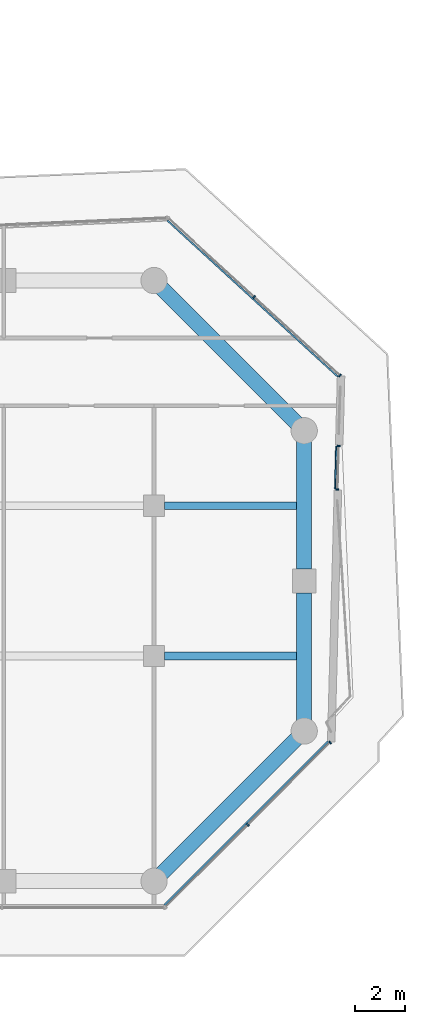
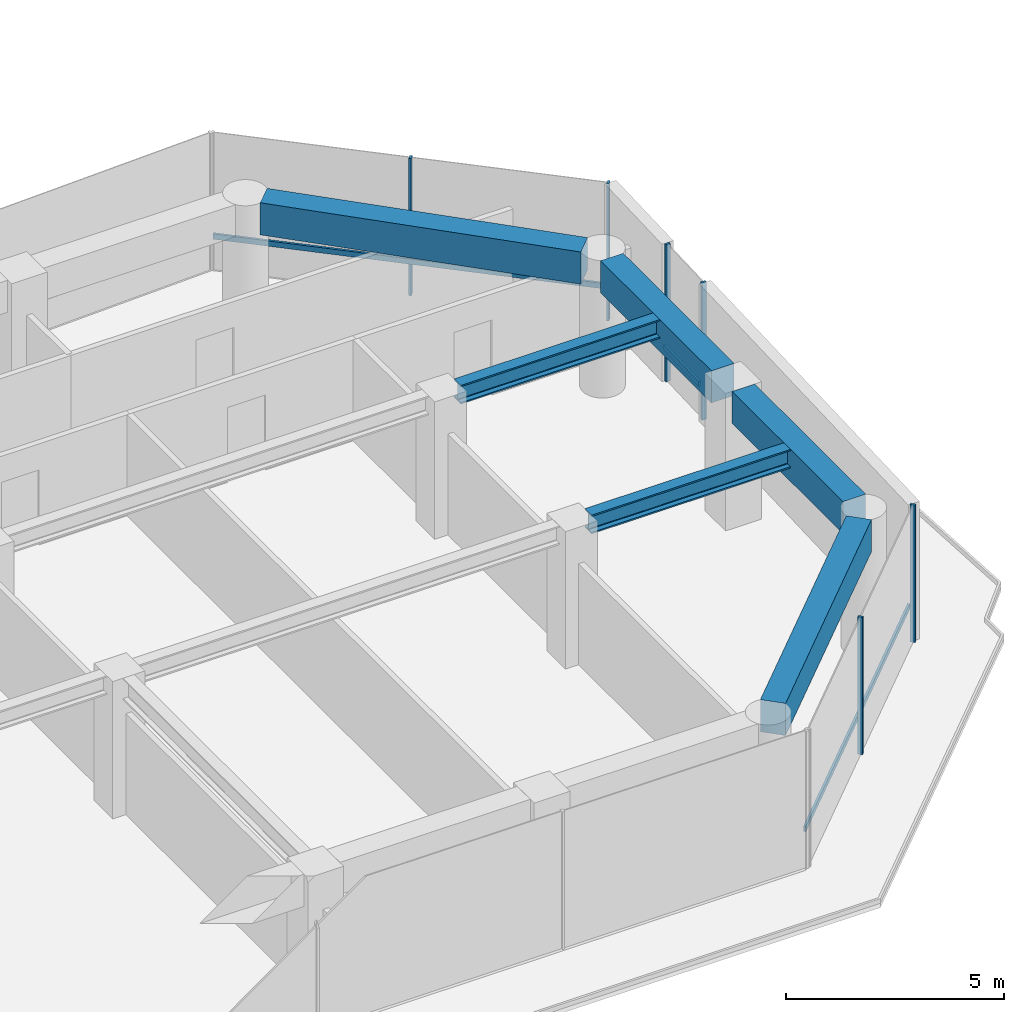
# One storey, part 20 of 29: 9 members, 6 beams, 3 elements without a shape of their own.
"""IFC4 building model written with IfcOpenShell, lengths in metres."""

from ifc_helpers import new_model, si_unit, direction, frame, origin, origin_2d, place, context, subcontext, project, spatial, rectangle, i_section, extrude, material, layer, layer_set, material_profile, profile_set, type_object, element, aggregate, save


model = new_model("IFC4")

# Units and contexts
model_context = context("Model", 3, precision=1e-05, world=origin(), true_north=direction((0.0, 1.0)))
body_context = subcontext(model_context, "Body", "Model", "MODEL_VIEW")
ifc_project = project(units=[si_unit("LENGTHUNIT", "METRE"), si_unit("AREAUNIT", "SQUARE_METRE"), si_unit("VOLUMEUNIT", "CUBIC_METRE"), si_unit("PLANEANGLEUNIT", "RADIAN"), si_unit("MASSUNIT", "GRAM", prefix="KILO")], contexts=[model_context])

# Site, building, storey
site_placement = place(None, origin())
site = spatial("IfcSite", under=ifc_project, at=site_placement, CompositionType="ELEMENT")
building_placement = place(site_placement, origin())
building = spatial("IfcBuilding", under=site, at=building_placement, Name="Welwitschia Terrace Campus", CompositionType="ELEMENT")
storey_placement = place(building_placement, frame((0.0, 0.0, 62.60009765625)))
storey = spatial("IfcBuildingStorey", under=building, at=storey_placement, Name="L14", CompositionType="ELEMENT", Elevation=62.60009765625)

# Beams
ifc_material_1 = material(Name="Steel S355", Category="steel")
ifc_material_profile_1 = material_profile(ifc_material_1, i_section(OverallWidth=0.305908203125, OverallDepth=0.52392578125, WebThickness=0.02099609375, FlangeThickness=0.0400390625, FilletRadius=0.027099609375, at=origin_2d()))
ifc_profile_set_1 = profile_set([ifc_material_profile_1], Name="Steel S355")
beam_type_1 = type_object("IfcBeamType", Name="Interior girder HE 500 M", PredefinedType="BEAM", material=ifc_profile_set_1)
for number, where, z_axis, x_axis, name in (
    (1, (60.425537109375, 5.0, 3.587890625), (1.0, 0.0, 0.0), (0.0, 1.0, 0.0), "Girder GB2"),
    (2, (60.425537109375, 11.0, 3.587890625), (1.0, 0.0, 0.0), (0.0, 1.0, 0.0), "Girder GB2"),
):
    element("IfcBeam", number, at=place(storey_placement, frame(where, z_axis=z_axis, x_axis=x_axis)), inside=storey, type_object=beam_type_1, Name=name, PredefinedType="BEAM", context=body_context, shape_type="SweptSolid", body=[
        extrude(i_section(OverallWidth=0.305908203125, OverallDepth=0.52392578125, WebThickness=0.02099609375, FlangeThickness=0.0400390625, FilletRadius=0.027099609375, at=origin_2d()), origin(), (0.0, 0.0, 1.0), 5.58447265625),
    ])

# Curtain wall, members
ifc_material_2 = material(Name="Bronze anodised aluminium", Category="aluminium")
ifc_layer = layer(ifc_material_2, 0.1201171875)
ifc_layer_set = layer_set([ifc_layer], Name="Bronze anodised aluminium")
curtain_wall_type = type_object("IfcCurtainWallType", Name="Curtain wall CW2 tower 6000", PredefinedType="NOTDEFINED", material=ifc_layer_set)
curtain_wall_1_placement = place(storey_placement, origin())
curtain_wall_1 = element("IfcCurtainWall", 3, at=curtain_wall_1_placement, inside=storey, type_object=curtain_wall_type, Name="CW L14.4.0", PredefinedType="NOTDEFINED")
ifc_material_3 = material(Name="Bronze anodised aluminium", Category="aluminium")
ifc_material_profile_2 = material_profile(ifc_material_3, rectangle(XDim=0.1201171875, YDim=0.06005859375, at=origin_2d()))
ifc_profile_set_2 = profile_set([ifc_material_profile_2], Name="Bronze anodised aluminium")
member_type_1 = type_object("IfcMemberType", Name="Mullion 60x120", PredefinedType="MULLION", material=ifc_profile_set_2)
member_1_placement = place(storey_placement, frame((63.748046875, -1.748046875, 0.0), z_axis=(0.0, 0.0, 1.0), x_axis=(-0.707106781187, 0.707106781187, 0.0)))
member_1 = element("IfcMember", 4, at=member_1_placement, type_object=member_type_1, Name="Mullion L14.4.0.1", PredefinedType="MULLION", context=body_context, shape_type="SweptSolid", body=[
    extrude(rectangle(XDim=0.1201171875, YDim=0.06005859375, at=origin_2d()), origin(), (0.0, 0.0, 1.0), 3.849853515625),
])
member_2_placement = place(storey_placement, frame((67.036865234375, 1.54052734375, 0.0), z_axis=(0.0, 0.0, 1.0), x_axis=(-0.707106781187, 0.707106781187, 0.0)))
member_2 = element("IfcMember", 5, at=member_2_placement, type_object=member_type_1, Name="Mullion L14.4.0.2", PredefinedType="MULLION", context=body_context, shape_type="SweptSolid", body=[
    extrude(rectangle(XDim=0.1201171875, YDim=0.06005859375, at=origin_2d()), origin(), (0.0, 0.0, 1.0), 3.849853515625),
])

curtain_wall_2_placement = place(storey_placement, origin())
curtain_wall_2 = element("IfcCurtainWall", 6, at=curtain_wall_2_placement, inside=storey, type_object=curtain_wall_type, Name="CW L14.5.S0", PredefinedType="NOTDEFINED")
member_3_placement = place(storey_placement, frame((67.328369140625, 11.658203125, 0.0), z_axis=(0.0, 0.0, 1.0), x_axis=(-0.999641460167, 0.026775942846, 0.0)))
member_3 = element("IfcMember", 7, at=member_3_placement, type_object=member_type_1, Name="Mullion L14.5.S0.0", PredefinedType="MULLION", context=body_context, shape_type="SweptSolid", body=[
    extrude(rectangle(XDim=0.1201171875, YDim=0.06005859375, at=origin_2d()), origin(), (0.0, 0.0, 1.0), 3.849853515625),
])
member_4_placement = place(storey_placement, frame((67.375, 13.3974609375, 0.0), z_axis=(0.0, 0.0, 1.0), x_axis=(-0.999641460167, 0.026775942846, 0.0)))
member_4 = element("IfcMember", 8, at=member_4_placement, type_object=member_type_1, Name="Mullion L14.5.S0.1", PredefinedType="MULLION", context=body_context, shape_type="SweptSolid", body=[
    extrude(rectangle(XDim=0.1201171875, YDim=0.06005859375, at=origin_2d()), origin(), (0.0, 0.0, 1.0), 3.849853515625),
])

curtain_wall_3_placement = place(storey_placement, origin())
curtain_wall_3 = element("IfcCurtainWall", 9, at=curtain_wall_3_placement, inside=storey, type_object=curtain_wall_type, Name="CW L14.6.0", PredefinedType="NOTDEFINED")
member_5_placement = place(storey_placement, frame((67.427490234375, 16.203369140625, 0.0), z_axis=(0.0, 0.0, 1.0), x_axis=(-0.675590207616, -0.73727733681, 0.0)))
member_5 = element("IfcMember", 10, at=member_5_placement, type_object=member_type_1, Name="Mullion L14.6.0.0", PredefinedType="MULLION", context=body_context, shape_type="SweptSolid", body=[
    extrude(rectangle(XDim=0.1201171875, YDim=0.06005859375, at=origin_2d()), origin(), (0.0, 0.0, 1.0), 3.849853515625),
])
member_6_placement = place(storey_placement, frame((63.99853515625, 19.345458984375, 0.0), z_axis=(0.0, 0.0, 1.0), x_axis=(-0.675590207616, -0.73727733681, 0.0)))
member_6 = element("IfcMember", 11, at=member_6_placement, type_object=member_type_1, Name="Mullion L14.6.0.1", PredefinedType="MULLION", context=body_context, shape_type="SweptSolid", body=[
    extrude(rectangle(XDim=0.1201171875, YDim=0.06005859375, at=origin_2d()), origin(), (0.0, 0.0, 1.0), 3.849853515625),
])

# Beams
ifc_material_4 = material(Name="Concrete C60/75", Category="concrete")
ifc_material_profile_3 = material_profile(ifc_material_4, rectangle(XDim=0.60009765625, YDim=0.89990234375, at=origin_2d()))
ifc_profile_set_3 = profile_set([ifc_material_profile_3], Name="Concrete C60/75")
beam_type_2 = type_object("IfcBeamType", Name="Ring spandrel 600x900", PredefinedType="SPANDREL", material=ifc_profile_set_3)
beam_1_placement = place(storey_placement, frame((60.30517578125, -3.69482421875, 3.39990234375), z_axis=(0.707106781187, 0.707106781187, 0.0), x_axis=(-0.707106781187, 0.707106781187, 0.0)))
element("IfcBeam", 12, at=beam_1_placement, inside=storey, type_object=beam_type_2, Name="Spandrel SP2", PredefinedType="SPANDREL", context=body_context, shape_type="SweptSolid", body=[
    extrude(rectangle(XDim=0.60009765625, YDim=0.89990234375, at=origin_2d()), origin(), (0.0, 0.0, 1.0), 7.6220703125),
])
for number, where, z_axis, x_axis, name in (
    (13, (66.0, 2.431396484375, 3.39990234375), (0.0, 1.0, 0.0), (-1.0, 0.0, 0.0), "Spandrel SP2"),
    (14, (66.0, 8.4755859375, 3.39990234375), (0.0, 1.0, 0.0), (-1.0, 0.0, 0.0), "Spandrel SP2"),
):
    element("IfcBeam", number, at=place(storey_placement, frame(where, z_axis=z_axis, x_axis=x_axis)), inside=storey, type_object=beam_type_2, Name=name, PredefinedType="SPANDREL", context=body_context, shape_type="SweptSolid", body=[
        extrude(rectangle(XDim=0.60009765625, YDim=0.89990234375, at=origin_2d()), origin(), (0.0, 0.0, 1.0), 5.093017578125),
    ])
beam_2_placement = place(storey_placement, frame((65.69482421875, 14.30517578125, 3.39990234375), z_axis=(-0.707106781187, 0.707106781187, 0.0), x_axis=(-0.707106781187, -0.707106781187, 0.0)))
element("IfcBeam", 15, at=beam_2_placement, inside=storey, type_object=beam_type_2, Name="Spandrel SP2", PredefinedType="SPANDREL", context=body_context, shape_type="SweptSolid", body=[
    extrude(rectangle(XDim=0.60009765625, YDim=0.89990234375, at=origin_2d()), origin(), (0.0, 0.0, 1.0), 7.6220703125),
])

# Member
ifc_material_5 = material(Name="Bronze anodised aluminium", Category="aluminium")
ifc_material_profile_4 = material_profile(ifc_material_5, rectangle(XDim=0.06005859375, YDim=0.14990234375, at=origin_2d()))
ifc_profile_set_4 = profile_set([ifc_material_profile_4], Name="Bronze anodised aluminium")
member_type_2 = type_object("IfcMemberType", Name="Transom 60x150", PredefinedType="USERDEFINED", material=ifc_profile_set_4)
member_7_placement = place(storey_placement, frame((60.4169921875, -4.951904296875, 1.0), z_axis=(0.707106781187, 0.707106781187, 0.0), x_axis=(-0.707106781187, 0.707106781187, 0.0)))
member_7 = element("IfcMember", 16, at=member_7_placement, type_object=member_type_2, Name="Transom L14.4.0", ObjectType="TRANSOM", PredefinedType="USERDEFINED", context=body_context, shape_type="SweptSolid", body=[
    extrude(rectangle(XDim=0.06005859375, YDim=0.14990234375, at=origin_2d()), origin(), (0.0, 0.0, 1.0), 9.24169921875),
])

aggregate(curtain_wall_1, [member_1, member_2, member_7])

member_8_placement = place(storey_placement, frame((67.2392578125, 11.690673828125, 1.0), z_axis=(0.02674239516, 0.999642358197, 0.0), x_axis=(-0.999642358197, 0.02674239516, 0.0)))
member_8 = element("IfcMember", 17, at=member_8_placement, type_object=member_type_2, Name="Transom L14.5.S0", ObjectType="TRANSOM", PredefinedType="USERDEFINED", context=body_context, shape_type="SweptSolid", body=[
    extrude(rectangle(XDim=0.06005859375, YDim=0.14990234375, at=origin_2d()), origin(), (0.0, 0.0, 1.0), 1.6796875),
])

aggregate(curtain_wall_2, [member_3, member_4, member_8])

member_9_placement = place(storey_placement, frame((67.344482421875, 16.157470703125, 1.0), z_axis=(-0.737275846441, 0.675591834064, 0.0), x_axis=(-0.675591834064, -0.737275846441, 0.0)))
member_9 = element("IfcMember", 18, at=member_9_placement, type_object=member_type_2, Name="Transom L14.6.0", ObjectType="TRANSOM", PredefinedType="USERDEFINED", context=body_context, shape_type="SweptSolid", body=[
    extrude(rectangle(XDim=0.06005859375, YDim=0.14990234375, at=origin_2d()), origin(), (0.0, 0.0, 1.0), 9.24169921875),
])

aggregate(curtain_wall_3, [member_5, member_6, member_9])

save(model, "model.ifc")
